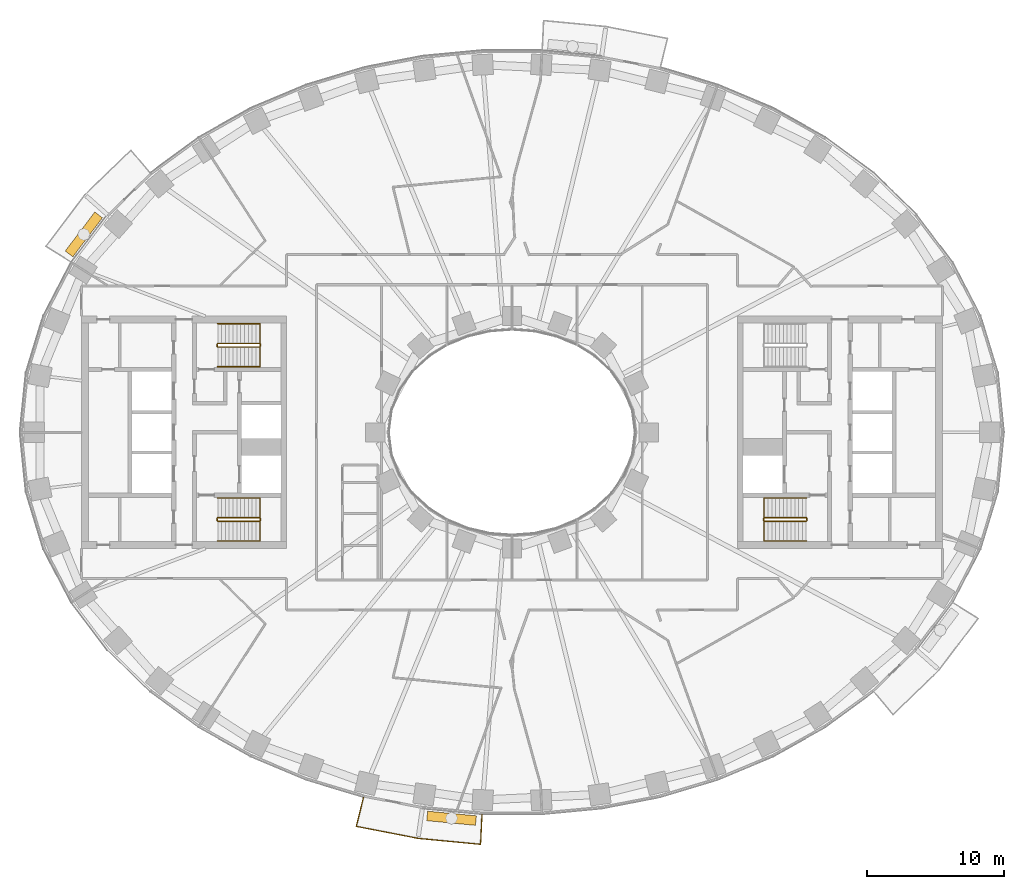
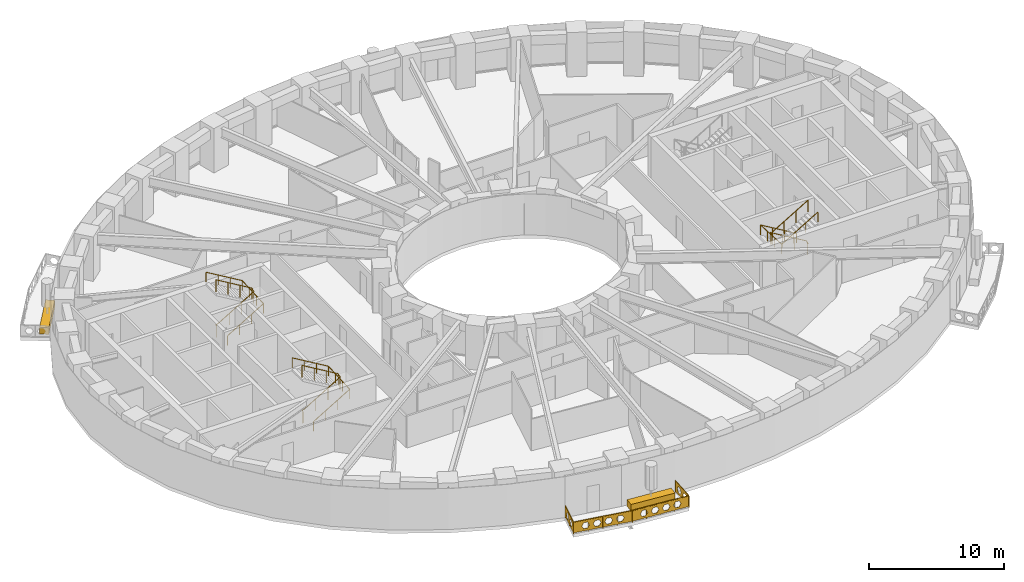
# One storey, part 14 of 16: 7 railings, 2 coverings.
"""IFC4 building model written with IfcOpenShell, lengths in metres."""

import ifcopenshell
import ifcopenshell.guid

model = None  # the IFC model being written
_history = None  # IfcOwnerHistory: only IFC2X3 demands one
_inside = {}  # id of a spatial element -> (the spatial element, [elements in it])
_under = {}  # id of a project, library or spatial element -> (it, [spatial elements below it])
_declared = {}  # id of a project -> (the project, [libraries it declares])
_typed = {}  # id of a type object -> (the type object, [elements of that type])
_made_of = {}  # id of a material, layer set ... -> (it, [elements and type objects made of it])


def new_model(schema):
    """Start an empty IFC model of exactly this schema.

    Asked for "IFC4X3", IfcOpenShell would pick the latest addendum, in which some entities
    have other attributes; the version numbers below select the first issue.
    IFC2X3 requires an IfcOwnerHistory on every rooted entity: one is made here for all.
    """
    global model, _history
    if schema == "IFC4X3":
        model = ifcopenshell.file(schema_version=(4, 3, 0, 0))
    else:
        model = ifcopenshell.file(schema=schema)
    _inside.clear()
    _under.clear()
    _declared.clear()
    _typed.clear()
    _made_of.clear()
    _history = None
    if model.schema == "IFC2X3":
        org = make("IfcOrganization", Name="unknown")
        user = make(
            "IfcPersonAndOrganization",
            ThePerson=make("IfcPerson", FamilyName="unknown"),
            TheOrganization=org,
        )
        app = make(
            "IfcApplication",
            ApplicationDeveloper=org,
            Version="unknown",
            ApplicationFullName="unknown",
            ApplicationIdentifier="unknown",
        )
        _history = make(
            "IfcOwnerHistory",
            OwningUser=user,
            OwningApplication=app,
            ChangeAction="ADDED",
            CreationDate=0,
        )
    return model


def make(cls, **values):
    """One entity of the class cls with the attributes given. An attribute that is None is left unset."""
    return model.create_entity(
        cls, **{name: value for name, value in values.items() if value is not None}
    )


def rooted(cls, **values):
    """An entity with a GlobalId (a new one), such as an element, a storey or a relation."""
    return make(cls, GlobalId=ifcopenshell.guid.new(), OwnerHistory=_history, **values)


def si_unit(unit_type, name, prefix=None):
    """IfcSIUnit, for example si_unit("LENGTHUNIT", "METRE", prefix="MILLI")."""
    return make("IfcSIUnit", UnitType=unit_type, Prefix=prefix, Name=name)


def assignment(units):
    """IfcUnitAssignment: the units of a project."""
    return None if units is None else make("IfcUnitAssignment", Units=units)


def point(xyz):
    """IfcCartesianPoint."""
    return None if xyz is None else make("IfcCartesianPoint", Coordinates=xyz)


def direction(xyz):
    """IfcDirection."""
    return None if xyz is None else make("IfcDirection", DirectionRatios=xyz)


def frame(location, z_axis=None, x_axis=None):
    """IfcAxis2Placement3D, a coordinate frame: its origin and axes. An axis left out is left unset."""
    return make(
        "IfcAxis2Placement3D",
        Location=point(location),
        Axis=direction(z_axis),
        RefDirection=direction(x_axis),
    )


def frame_2d(location, x_axis=None):
    """IfcAxis2Placement2D, a coordinate frame in the plane: its origin and x axis."""
    return make(
        "IfcAxis2Placement2D", Location=point(location), RefDirection=direction(x_axis)
    )


def origin():
    """The frame at (0, 0, 0) with its axes left unset."""
    return frame((0.0, 0.0, 0.0))


def origin_2d():
    """The frame at (0, 0) in the plane with its x axis left unset."""
    return frame_2d((0.0, 0.0))


def place(relative_to, where):
    """IfcLocalPlacement: puts the frame where relative to a parent placement (None: the world)."""
    return make(
        "IfcLocalPlacement", PlacementRelTo=relative_to, RelativePlacement=where
    )


def context(
    kind, dimensions, precision=None, world=None, true_north=None, identifier=None
):
    """IfcGeometricRepresentationContext, for example the 3D "Model" context."""
    return make(
        "IfcGeometricRepresentationContext",
        ContextIdentifier=identifier,
        ContextType=kind,
        CoordinateSpaceDimension=dimensions,
        Precision=precision,
        WorldCoordinateSystem=world,
        TrueNorth=true_north,
    )


def subcontext(parent, identifier, kind, view, scale=None):
    """IfcGeometricRepresentationSubContext, for example "Body" below "Model"."""
    return make(
        "IfcGeometricRepresentationSubContext",
        ContextIdentifier=identifier,
        ContextType=kind,
        ParentContext=parent,
        TargetScale=scale,
        TargetView=view,
    )


def project(units=None, contexts=None):
    """IfcProject with its units and contexts."""
    return rooted(
        "IfcProject",
        Name="project",
        RepresentationContexts=contexts,
        UnitsInContext=assignment(units),
    )


def spatial(cls, under=None, at=None, **own):
    """A site, building, storey or space (cls), placed at a placement, below another one or the project."""
    s = rooted(cls, ObjectPlacement=at, **own)
    if under is not None:
        _under.setdefault(under.id(), (under, []))[1].append(s)
    return s


def polyline(points):
    """IfcPolyline through the points."""
    return make("IfcPolyline", Points=[point(p) for p in points])


def profile(cls, at=None, kind="AREA", **sizes):
    """A parametric profile (cls). Its sizes go by their IFC names, for example OverallWidth=200.0."""
    return make(cls, ProfileType=kind, Position=at, **sizes)


def rectangle(**sizes):
    """IfcRectangleProfileDef."""
    return profile("IfcRectangleProfileDef", **sizes)


def outline(outer, holes=None, kind="AREA"):
    """IfcArbitraryClosedProfileDef: a profile drawn as a closed curve; with holes, ...WithVoids."""
    if holes is None:
        return make("IfcArbitraryClosedProfileDef", ProfileType=kind, OuterCurve=outer)
    return make(
        "IfcArbitraryProfileDefWithVoids",
        ProfileType=kind,
        OuterCurve=outer,
        InnerCurves=holes,
    )


def extrude(swept, where, along, depth):
    """IfcExtrudedAreaSolid: the profile swept, set in the frame where, extruded along a direction by depth."""
    return make(
        "IfcExtrudedAreaSolid",
        SweptArea=swept,
        Position=where,
        ExtrudedDirection=direction(along),
        Depth=depth,
    )


def shape(context_of_items, identifier, shape_type, items):
    """IfcShapeRepresentation: the items that make up one representation, for example the "Body"."""
    return make(
        "IfcShapeRepresentation",
        ContextOfItems=context_of_items,
        RepresentationIdentifier=identifier,
        RepresentationType=shape_type,
        Items=items,
    )


def material(Name=None, Category=None):
    """IfcMaterial."""
    return make("IfcMaterial", Name=Name, Category=Category)


def made_of(thing, what):
    """Note that an element or type object is made of a material, layer set ...; save() writes the relation."""
    if what is not None:
        _made_of.setdefault(what.id(), (what, []))[1].append(thing)
    return thing


def type_object(cls, material=None, **own):
    """A type object (cls), such as IfcWallType, which elements share."""
    return made_of(rooted(cls, **own), material)


def element(
    cls,
    number,
    at=None,
    inside=None,
    cuts=None,
    type_object=None,
    material=None,
    context=None,
    identifier="Body",
    shape_type=None,
    held_by="IfcProductDefinitionShape",
    body=None,
    shapes=None,
    **own,
):
    """One element of the class cls, such as IfcWall. Its Tag is "e" and its number.

    at: its placement. inside: the storey or other place that contains it. cuts: it is an
    opening in that element (IfcRelVoidsElement). A single representation is given by context,
    identifier, shape_type and body (its items); several are given by shapes. held_by: the class
    of the entity that holds the representations. save() writes the other relations.
    """
    e = rooted(cls, Tag="e%d" % number, ObjectPlacement=at, **own)
    if body is not None:
        shapes = [shape(context, identifier, shape_type, body)]
    if shapes is not None:
        e.Representation = make(held_by, Representations=shapes)
    if inside is not None:
        _inside.setdefault(inside.id(), (inside, []))[1].append(e)
    if cuts is not None:
        rooted(
            "IfcRelVoidsElement", RelatingBuildingElement=cuts, RelatedOpeningElement=e
        )
    if type_object is not None:
        _typed.setdefault(type_object.id(), (type_object, []))[1].append(e)
    return made_of(e, material)


def aggregate(whole, parts):
    """IfcRelAggregates: a whole, such as a stair, and the parts it consists of."""
    return rooted("IfcRelAggregates", RelatingObject=whole, RelatedObjects=parts)


def save(model, path):
    """Write the relations noted so far, then the file.

    IfcRelAggregates (storeys below a building ...), IfcRelContainedInSpatialStructure (elements
    in a storey), IfcRelDefinesByType, IfcRelAssociatesMaterial and IfcRelDeclares: one each for
    every whole, place, type object, material and project.
    """
    for whole, parts in _under.values():
        aggregate(whole, parts)
    for where, things in _inside.values():
        rooted(
            "IfcRelContainedInSpatialStructure",
            RelatedElements=things,
            RelatingStructure=where,
        )
    for kind, things in _typed.values():
        rooted("IfcRelDefinesByType", RelatedObjects=things, RelatingType=kind)
    for what, things in _made_of.values():
        rooted("IfcRelAssociatesMaterial", RelatedObjects=things, RelatingMaterial=what)
    for by, libraries in _declared.values():
        rooted("IfcRelDeclares", RelatingContext=by, RelatedDefinitions=libraries)
    model.write(path)


model = new_model("IFC4")

# Units and contexts
model_context = context("Model", 3, precision=1e-05, world=origin(), true_north=direction((0.0, 1.0)))
body_context = subcontext(model_context, "Body", "Model", "MODEL_VIEW")
ifc_project = project(units=[si_unit("LENGTHUNIT", "METRE"), si_unit("AREAUNIT", "SQUARE_METRE"), si_unit("VOLUMEUNIT", "CUBIC_METRE"), si_unit("PLANEANGLEUNIT", "RADIAN"), si_unit("MASSUNIT", "GRAM", prefix="KILO")], contexts=[model_context])

# Site, building, storey
site_placement = place(None, origin())
site = spatial("IfcSite", under=ifc_project, at=site_placement, CompositionType="ELEMENT")
building_placement = place(site_placement, origin())
building = spatial("IfcBuilding", under=site, at=building_placement, Name="Noorbagh Ring Tower", CompositionType="ELEMENT")
storey_placement = place(building_placement, frame((0.0, 0.0, 46.5)))
storey = spatial("IfcBuildingStorey", under=building, at=storey_placement, Name="L09", CompositionType="ELEMENT", Elevation=46.5)

# Railings
ifc_material_1 = material(Name="Stainless steel", Category="steel")
railing_type_1 = type_object("IfcRailingType", Name="CORE-STAIR-GUARD", PredefinedType="GUARDRAIL", material=ifc_material_1)
railing_1_placement = place(storey_placement, frame((-21.580078125, 6.300048828125, 0.0)))
element("IfcRailing", 1, at=railing_1_placement, inside=storey, type_object=railing_type_1, Name="L09 ST1 stair guard", PredefinedType="GUARDRAIL", context=body_context, shape_type="SweptSolid", body=[
    extrude(rectangle(XDim=0.048095703125, YDim=0.048095703125, at=origin_2d()), frame((0.0, 0.0, 1.076171875), z_axis=(0.0, 1.0, 0.0), x_axis=(-1.0, 0.0, 0.0)), (0.0, 0.0, 1.0), 0.14990234375),
    extrude(rectangle(XDim=0.048095703125, YDim=0.048095703125, at=origin_2d()), frame((0.0, 0.14990234375, 1.076171875), z_axis=(0.188775798145, -0.754182335027, 0.628945707965), x_axis=(0.970072785993, 0.242814311512, 0.0)), (0.0, 0.0, 1.0), 0.26513671875),
    extrude(rectangle(XDim=0.048095703125, YDim=0.048095703125, at=origin_2d()), frame((0.050048828125, -0.050048828125, 1.24267578125), z_axis=(0.859308565015, 0.0, 0.511457515432), x_axis=(0.0, 1.0, 0.0)), (0.0, 0.0, 1.0), 3.58447265625),
    extrude(rectangle(XDim=0.048095703125, YDim=0.048095703125, at=origin_2d()), frame((3.130126953125, -0.050048828125, 3.076171875), z_axis=(0.707106781187, 0.707106781187, 0.0), x_axis=(-0.707106781187, 0.707106781187, 0.0)), (0.0, 0.0, 1.0), 0.07080078125),
    extrude(rectangle(XDim=0.048095703125, YDim=0.048095703125, at=origin_2d()), frame((3.18017578125, 0.0, 3.076171875), z_axis=(0.0, 1.0, 0.0), x_axis=(-1.0, 0.0, 0.0)), (0.0, 0.0, 1.0), 0.14990234375),
    extrude(rectangle(XDim=0.048095703125, YDim=0.048095703125, at=origin_2d()), frame((3.18017578125, 0.14990234375, 3.076171875), z_axis=(-0.27628659633, 0.27628659633, 0.920506074601), x_axis=(-0.707106781187, -0.707106781187, 0.0)), (0.0, 0.0, 1.0), 0.18115234375),
    extrude(rectangle(XDim=0.048095703125, YDim=0.048095703125, at=origin_2d()), frame((3.130126953125, 0.199951171875, 3.24267578125), z_axis=(-0.859308565015, 0.0, 0.511457515432), x_axis=(0.0, -1.0, 0.0)), (0.0, 0.0, 1.0), 3.58447265625),
    extrude(rectangle(XDim=0.0419921875, YDim=0.0419921875, at=origin_2d()), origin(), (0.0, 0.0, 1.0), 1.052001953125),
    extrude(rectangle(XDim=0.0419921875, YDim=0.0419921875, at=origin_2d()), frame((1.07666015625, -0.050048828125, 0.77783203125)), (0.0, 0.0, 1.0), 1.052001953125),
    extrude(rectangle(XDim=0.0419921875, YDim=0.0419921875, at=origin_2d()), frame((2.103515625, -0.050048828125, 1.388916015625)), (0.0, 0.0, 1.0), 1.052001953125),
    extrude(rectangle(XDim=0.0419921875, YDim=0.0419921875, at=origin_2d()), frame((3.130126953125, -0.050048828125, 2.0)), (0.0, 0.0, 1.0), 1.052001953125),
    extrude(rectangle(XDim=0.0419921875, YDim=0.0419921875, at=origin_2d()), frame((3.130126953125, 0.199951171875, 2.166748046875)), (0.0, 0.0, 1.0), 1.052001953125),
    extrude(rectangle(XDim=0.0419921875, YDim=0.0419921875, at=origin_2d()), frame((2.103515625, 0.199951171875, 2.77783203125)), (0.0, 0.0, 1.0), 1.052001953125),
    extrude(rectangle(XDim=0.0419921875, YDim=0.0419921875, at=origin_2d()), frame((1.07666015625, 0.199951171875, 3.388916015625)), (0.0, 0.0, 1.0), 1.052001953125),
    extrude(rectangle(XDim=0.0419921875, YDim=0.0419921875, at=origin_2d()), frame((0.050048828125, 0.199951171875, 4.0)), (0.0, 0.0, 1.0), 1.052001953125),
])
railing_2_placement = place(storey_placement, frame((-21.580078125, -6.449951171875, 0.0)))
element("IfcRailing", 2, at=railing_2_placement, inside=storey, type_object=railing_type_1, Name="L09 ST2 stair guard", PredefinedType="GUARDRAIL", context=body_context, shape_type="SweptSolid", body=[
    extrude(rectangle(XDim=0.048095703125, YDim=0.048095703125, at=origin_2d()), frame((0.0, 0.0, 1.076171875), z_axis=(0.0, 1.0, 0.0), x_axis=(-1.0, 0.0, 0.0)), (0.0, 0.0, 1.0), 0.14990234375),
    extrude(rectangle(XDim=0.048095703125, YDim=0.048095703125, at=origin_2d()), frame((0.0, 0.14990234375, 1.076171875), z_axis=(0.188775798145, -0.754182335027, 0.628945707965), x_axis=(0.970072785993, 0.242814311512, 0.0)), (0.0, 0.0, 1.0), 0.26513671875),
    extrude(rectangle(XDim=0.048095703125, YDim=0.048095703125, at=origin_2d()), frame((0.050048828125, -0.050048828125, 1.24267578125), z_axis=(0.859308565015, 0.0, 0.511457515432), x_axis=(0.0, 1.0, 0.0)), (0.0, 0.0, 1.0), 3.58447265625),
    extrude(rectangle(XDim=0.048095703125, YDim=0.048095703125, at=origin_2d()), frame((3.130126953125, -0.050048828125, 3.076171875), z_axis=(0.707106781187, 0.707106781187, 0.0), x_axis=(-0.707106781187, 0.707106781187, 0.0)), (0.0, 0.0, 1.0), 0.07080078125),
    extrude(rectangle(XDim=0.048095703125, YDim=0.048095703125, at=origin_2d()), frame((3.18017578125, 0.0, 3.076171875), z_axis=(0.0, 1.0, 0.0), x_axis=(-1.0, 0.0, 0.0)), (0.0, 0.0, 1.0), 0.14990234375),
    extrude(rectangle(XDim=0.048095703125, YDim=0.048095703125, at=origin_2d()), frame((3.18017578125, 0.14990234375, 3.076171875), z_axis=(-0.27628659633, 0.27628659633, 0.920506074601), x_axis=(-0.707106781187, -0.707106781187, 0.0)), (0.0, 0.0, 1.0), 0.18115234375),
    extrude(rectangle(XDim=0.048095703125, YDim=0.048095703125, at=origin_2d()), frame((3.130126953125, 0.199951171875, 3.24267578125), z_axis=(-0.859308565015, 0.0, 0.511457515432), x_axis=(0.0, -1.0, 0.0)), (0.0, 0.0, 1.0), 3.58447265625),
    extrude(rectangle(XDim=0.0419921875, YDim=0.0419921875, at=origin_2d()), origin(), (0.0, 0.0, 1.0), 1.052001953125),
    extrude(rectangle(XDim=0.0419921875, YDim=0.0419921875, at=origin_2d()), frame((1.07666015625, -0.050048828125, 0.77783203125)), (0.0, 0.0, 1.0), 1.052001953125),
    extrude(rectangle(XDim=0.0419921875, YDim=0.0419921875, at=origin_2d()), frame((2.103515625, -0.050048828125, 1.388916015625)), (0.0, 0.0, 1.0), 1.052001953125),
    extrude(rectangle(XDim=0.0419921875, YDim=0.0419921875, at=origin_2d()), frame((3.130126953125, -0.050048828125, 2.0)), (0.0, 0.0, 1.0), 1.052001953125),
    extrude(rectangle(XDim=0.0419921875, YDim=0.0419921875, at=origin_2d()), frame((3.130126953125, 0.199951171875, 2.166748046875)), (0.0, 0.0, 1.0), 1.052001953125),
    extrude(rectangle(XDim=0.0419921875, YDim=0.0419921875, at=origin_2d()), frame((2.103515625, 0.199951171875, 2.77783203125)), (0.0, 0.0, 1.0), 1.052001953125),
    extrude(rectangle(XDim=0.0419921875, YDim=0.0419921875, at=origin_2d()), frame((1.07666015625, 0.199951171875, 3.388916015625)), (0.0, 0.0, 1.0), 1.052001953125),
    extrude(rectangle(XDim=0.0419921875, YDim=0.0419921875, at=origin_2d()), frame((0.050048828125, 0.199951171875, 4.0)), (0.0, 0.0, 1.0), 1.052001953125),
])
railing_3_placement = place(storey_placement, frame((21.580078125, -6.300048828125, 0.0)))
element("IfcRailing", 3, at=railing_3_placement, inside=storey, type_object=railing_type_1, Name="L09 ST4 stair guard", PredefinedType="GUARDRAIL", context=body_context, shape_type="SweptSolid", body=[
    extrude(rectangle(XDim=0.048095703125, YDim=0.048095703125, at=origin_2d()), frame((0.0, 0.0, 1.076171875), z_axis=(0.0, -1.0, 0.0), x_axis=(1.0, 0.0, 0.0)), (0.0, 0.0, 1.0), 0.14990234375),
    extrude(rectangle(XDim=0.048095703125, YDim=0.048095703125, at=origin_2d()), frame((0.0, -0.14990234375, 1.076171875), z_axis=(-0.188775798145, 0.754182335027, 0.628945707965), x_axis=(-0.970072785993, -0.242814311512, 0.0)), (0.0, 0.0, 1.0), 0.26513671875),
    extrude(rectangle(XDim=0.048095703125, YDim=0.048095703125, at=origin_2d()), frame((-0.050048828125, 0.050048828125, 1.24267578125), z_axis=(-0.859308565015, 0.0, 0.511457515432), x_axis=(0.0, -1.0, 0.0)), (0.0, 0.0, 1.0), 3.58447265625),
    extrude(rectangle(XDim=0.048095703125, YDim=0.048095703125, at=origin_2d()), frame((-3.130126953125, 0.050048828125, 3.076171875), z_axis=(-0.707106781187, -0.707106781187, 0.0), x_axis=(0.707106781187, -0.707106781187, 0.0)), (0.0, 0.0, 1.0), 0.07080078125),
    extrude(rectangle(XDim=0.048095703125, YDim=0.048095703125, at=origin_2d()), frame((-3.18017578125, 0.0, 3.076171875), z_axis=(0.0, -1.0, 0.0), x_axis=(1.0, 0.0, 0.0)), (0.0, 0.0, 1.0), 0.14990234375),
    extrude(rectangle(XDim=0.048095703125, YDim=0.048095703125, at=origin_2d()), frame((-3.18017578125, -0.14990234375, 3.076171875), z_axis=(0.27628659633, -0.27628659633, 0.920506074601), x_axis=(0.707106781187, 0.707106781187, 0.0)), (0.0, 0.0, 1.0), 0.18115234375),
    extrude(rectangle(XDim=0.048095703125, YDim=0.048095703125, at=origin_2d()), frame((-3.130126953125, -0.199951171875, 3.24267578125), z_axis=(0.859308565015, 0.0, 0.511457515432), x_axis=(0.0, 1.0, 0.0)), (0.0, 0.0, 1.0), 3.58447265625),
    extrude(rectangle(XDim=0.0419921875, YDim=0.0419921875, at=origin_2d()), origin(), (0.0, 0.0, 1.0), 1.052001953125),
    extrude(rectangle(XDim=0.0419921875, YDim=0.0419921875, at=origin_2d()), frame((-1.07666015625, 0.050048828125, 0.77783203125)), (0.0, 0.0, 1.0), 1.052001953125),
    extrude(rectangle(XDim=0.0419921875, YDim=0.0419921875, at=origin_2d()), frame((-2.103515625, 0.050048828125, 1.388916015625)), (0.0, 0.0, 1.0), 1.052001953125),
    extrude(rectangle(XDim=0.0419921875, YDim=0.0419921875, at=origin_2d()), frame((-3.130126953125, 0.050048828125, 2.0)), (0.0, 0.0, 1.0), 1.052001953125),
    extrude(rectangle(XDim=0.0419921875, YDim=0.0419921875, at=origin_2d()), frame((-3.130126953125, -0.199951171875, 2.166748046875)), (0.0, 0.0, 1.0), 1.052001953125),
    extrude(rectangle(XDim=0.0419921875, YDim=0.0419921875, at=origin_2d()), frame((-2.103515625, -0.199951171875, 2.77783203125)), (0.0, 0.0, 1.0), 1.052001953125),
    extrude(rectangle(XDim=0.0419921875, YDim=0.0419921875, at=origin_2d()), frame((-1.07666015625, -0.199951171875, 3.388916015625)), (0.0, 0.0, 1.0), 1.052001953125),
    extrude(rectangle(XDim=0.0419921875, YDim=0.0419921875, at=origin_2d()), frame((-0.050048828125, -0.199951171875, 4.0)), (0.0, 0.0, 1.0), 1.052001953125),
])
ifc_material_2 = material(Name="Stainless steel", Category="steel")
railing_type_2 = type_object("IfcRailingType", Name="CORE-STAIR-HANDRAIL", PredefinedType="HANDRAIL", material=ifc_material_2)
railing_4_placement = place(storey_placement, frame((-21.530029296875, 4.800048828125, 0.166748046875)))
element("IfcRailing", 4, at=railing_4_placement, inside=storey, type_object=railing_type_2, Name="L09 ST1 stair handrail", PredefinedType="HANDRAIL", context=body_context, shape_type="SweptSolid", body=[
    extrude(rectangle(XDim=0.048095703125, YDim=0.048095703125, at=origin_2d()), frame((0.0, 0.0, 0.8759765625), z_axis=(0.859308565015, 0.0, 0.511457515432), x_axis=(0.0, 1.0, 0.0)), (0.0, 0.0, 1.0), 3.58447265625),
    extrude(rectangle(XDim=0.048095703125, YDim=0.048095703125, at=origin_2d()), frame((3.080078125, 0.0, 2.708984375), z_axis=(0.0, 0.998601747152, 0.052863509014), x_axis=(-1.0, 0.0, 0.0)), (0.0, 0.0, 1.0), 3.154296875),
    extrude(rectangle(XDim=0.048095703125, YDim=0.048095703125, at=origin_2d()), frame((3.080078125, 3.14990234375, 2.8759765625), z_axis=(-0.859308565015, 0.0, 0.511457515432), x_axis=(0.0, -1.0, 0.0)), (0.0, 0.0, 1.0), 3.58447265625),
    extrude(rectangle(XDim=0.0419921875, YDim=0.0419921875, at=origin_2d()), origin(), (0.0, 0.0, 1.0), 0.851806640625),
    extrude(rectangle(XDim=0.0419921875, YDim=0.0419921875, at=origin_2d()), frame((1.026611328125, 0.0, 0.611083984375)), (0.0, 0.0, 1.0), 0.851806640625),
    extrude(rectangle(XDim=0.0419921875, YDim=0.0419921875, at=origin_2d()), frame((2.053466796875, 0.0, 1.22216796875)), (0.0, 0.0, 1.0), 0.851806640625),
    extrude(rectangle(XDim=0.0419921875, YDim=0.0419921875, at=origin_2d()), frame((3.080078125, 0.0, 1.833251953125)), (0.0, 0.0, 1.0), 0.851806640625),
    extrude(rectangle(XDim=0.0419921875, YDim=0.0419921875, at=origin_2d()), frame((3.080078125, 1.050048828125, 1.888916015625)), (0.0, 0.0, 1.0), 0.851806640625),
    extrude(rectangle(XDim=0.0419921875, YDim=0.0419921875, at=origin_2d()), frame((3.080078125, 2.099853515625, 1.9443359375)), (0.0, 0.0, 1.0), 0.851806640625),
    extrude(rectangle(XDim=0.0419921875, YDim=0.0419921875, at=origin_2d()), frame((3.080078125, 3.14990234375, 2.0)), (0.0, 0.0, 1.0), 0.851806640625),
    extrude(rectangle(XDim=0.0419921875, YDim=0.0419921875, at=origin_2d()), frame((2.053466796875, 3.14990234375, 2.611083984375)), (0.0, 0.0, 1.0), 0.851806640625),
    extrude(rectangle(XDim=0.0419921875, YDim=0.0419921875, at=origin_2d()), frame((1.026611328125, 3.14990234375, 3.22216796875)), (0.0, 0.0, 1.0), 0.851806640625),
    extrude(rectangle(XDim=0.0419921875, YDim=0.0419921875, at=origin_2d()), frame((0.0, 3.14990234375, 3.833251953125)), (0.0, 0.0, 1.0), 0.851806640625),
])
railing_5_placement = place(storey_placement, frame((-21.530029296875, -7.949951171875, 0.166748046875)))
element("IfcRailing", 5, at=railing_5_placement, inside=storey, type_object=railing_type_2, Name="L09 ST2 stair handrail", PredefinedType="HANDRAIL", context=body_context, shape_type="SweptSolid", body=[
    extrude(rectangle(XDim=0.048095703125, YDim=0.048095703125, at=origin_2d()), frame((0.0, 0.0, 0.8759765625), z_axis=(0.859308565015, 0.0, 0.511457515432), x_axis=(0.0, 1.0, 0.0)), (0.0, 0.0, 1.0), 3.58447265625),
    extrude(rectangle(XDim=0.048095703125, YDim=0.048095703125, at=origin_2d()), frame((3.080078125, 0.0, 2.708984375), z_axis=(0.0, 0.998601747152, 0.052863509014), x_axis=(-1.0, 0.0, 0.0)), (0.0, 0.0, 1.0), 3.154296875),
    extrude(rectangle(XDim=0.048095703125, YDim=0.048095703125, at=origin_2d()), frame((3.080078125, 3.14990234375, 2.8759765625), z_axis=(-0.859308565015, 0.0, 0.511457515432), x_axis=(0.0, -1.0, 0.0)), (0.0, 0.0, 1.0), 3.58447265625),
    extrude(rectangle(XDim=0.0419921875, YDim=0.0419921875, at=origin_2d()), origin(), (0.0, 0.0, 1.0), 0.851806640625),
    extrude(rectangle(XDim=0.0419921875, YDim=0.0419921875, at=origin_2d()), frame((1.026611328125, 0.0, 0.611083984375)), (0.0, 0.0, 1.0), 0.851806640625),
    extrude(rectangle(XDim=0.0419921875, YDim=0.0419921875, at=origin_2d()), frame((2.053466796875, 0.0, 1.22216796875)), (0.0, 0.0, 1.0), 0.851806640625),
    extrude(rectangle(XDim=0.0419921875, YDim=0.0419921875, at=origin_2d()), frame((3.080078125, 0.0, 1.833251953125)), (0.0, 0.0, 1.0), 0.851806640625),
    extrude(rectangle(XDim=0.0419921875, YDim=0.0419921875, at=origin_2d()), frame((3.080078125, 1.050048828125, 1.888916015625)), (0.0, 0.0, 1.0), 0.851806640625),
    extrude(rectangle(XDim=0.0419921875, YDim=0.0419921875, at=origin_2d()), frame((3.080078125, 2.099853515625, 1.9443359375)), (0.0, 0.0, 1.0), 0.851806640625),
    extrude(rectangle(XDim=0.0419921875, YDim=0.0419921875, at=origin_2d()), frame((3.080078125, 3.14990234375, 2.0)), (0.0, 0.0, 1.0), 0.851806640625),
    extrude(rectangle(XDim=0.0419921875, YDim=0.0419921875, at=origin_2d()), frame((2.053466796875, 3.14990234375, 2.611083984375)), (0.0, 0.0, 1.0), 0.851806640625),
    extrude(rectangle(XDim=0.0419921875, YDim=0.0419921875, at=origin_2d()), frame((1.026611328125, 3.14990234375, 3.22216796875)), (0.0, 0.0, 1.0), 0.851806640625),
    extrude(rectangle(XDim=0.0419921875, YDim=0.0419921875, at=origin_2d()), frame((0.0, 3.14990234375, 3.833251953125)), (0.0, 0.0, 1.0), 0.851806640625),
])
railing_6_placement = place(storey_placement, frame((21.530029296875, -4.800048828125, 0.166748046875)))
element("IfcRailing", 6, at=railing_6_placement, inside=storey, type_object=railing_type_2, Name="L09 ST4 stair handrail", PredefinedType="HANDRAIL", context=body_context, shape_type="SweptSolid", body=[
    extrude(rectangle(XDim=0.048095703125, YDim=0.048095703125, at=origin_2d()), frame((0.0, 0.0, 0.8759765625), z_axis=(-0.859308565015, 0.0, 0.511457515432), x_axis=(0.0, -1.0, 0.0)), (0.0, 0.0, 1.0), 3.58447265625),
    extrude(rectangle(XDim=0.048095703125, YDim=0.048095703125, at=origin_2d()), frame((-3.080078125, 0.0, 2.708984375), z_axis=(0.0, -0.998601747152, 0.052863509014), x_axis=(1.0, 0.0, 0.0)), (0.0, 0.0, 1.0), 3.154296875),
    extrude(rectangle(XDim=0.048095703125, YDim=0.048095703125, at=origin_2d()), frame((-3.080078125, -3.14990234375, 2.8759765625), z_axis=(0.859308565015, 0.0, 0.511457515432), x_axis=(0.0, 1.0, 0.0)), (0.0, 0.0, 1.0), 3.58447265625),
    extrude(rectangle(XDim=0.0419921875, YDim=0.0419921875, at=origin_2d()), origin(), (0.0, 0.0, 1.0), 0.851806640625),
    extrude(rectangle(XDim=0.0419921875, YDim=0.0419921875, at=origin_2d()), frame((-1.026611328125, 0.0, 0.611083984375)), (0.0, 0.0, 1.0), 0.851806640625),
    extrude(rectangle(XDim=0.0419921875, YDim=0.0419921875, at=origin_2d()), frame((-2.053466796875, 0.0, 1.22216796875)), (0.0, 0.0, 1.0), 0.851806640625),
    extrude(rectangle(XDim=0.0419921875, YDim=0.0419921875, at=origin_2d()), frame((-3.080078125, 0.0, 1.833251953125)), (0.0, 0.0, 1.0), 0.851806640625),
    extrude(rectangle(XDim=0.0419921875, YDim=0.0419921875, at=origin_2d()), frame((-3.080078125, -1.050048828125, 1.888916015625)), (0.0, 0.0, 1.0), 0.851806640625),
    extrude(rectangle(XDim=0.0419921875, YDim=0.0419921875, at=origin_2d()), frame((-3.080078125, -2.099853515625, 1.9443359375)), (0.0, 0.0, 1.0), 0.851806640625),
    extrude(rectangle(XDim=0.0419921875, YDim=0.0419921875, at=origin_2d()), frame((-3.080078125, -3.14990234375, 2.0)), (0.0, 0.0, 1.0), 0.851806640625),
    extrude(rectangle(XDim=0.0419921875, YDim=0.0419921875, at=origin_2d()), frame((-2.053466796875, -3.14990234375, 2.611083984375)), (0.0, 0.0, 1.0), 0.851806640625),
    extrude(rectangle(XDim=0.0419921875, YDim=0.0419921875, at=origin_2d()), frame((-1.026611328125, -3.14990234375, 3.22216796875)), (0.0, 0.0, 1.0), 0.851806640625),
    extrude(rectangle(XDim=0.0419921875, YDim=0.0419921875, at=origin_2d()), frame((0.0, -3.14990234375, 3.833251953125)), (0.0, 0.0, 1.0), 0.851806640625),
])
ifc_material_3 = material(Name="Steel S275 black powder-coated", Category="steel")
railing_type_3 = type_object("IfcRailingType", Name="ENV-GUARD", PredefinedType="GUARDRAIL", material=ifc_material_3)
railing_7_placement = place(storey_placement, frame((-10.865234375, -26.6943359375, 0.0)))
element("IfcRailing", 7, at=railing_7_placement, inside=storey, type_object=railing_type_3, Name="Balcony guard BS03", PredefinedType="GUARDRAIL", context=body_context, shape_type="SweptSolid", body=[
    extrude(rectangle(XDim=0.048095703125, YDim=0.048095703125, at=origin_2d()), frame((0.0, 0.0, 1.076171875), z_axis=(-0.239848558412, -0.970810315679, 0.0), x_axis=(0.970810315679, -0.239848558412, 0.0)), (0.0, 0.0, 1.0), 2.20263671875),
    extrude(rectangle(XDim=0.048095703125, YDim=0.048095703125, at=origin_2d()), frame((-0.5283203125, -2.138427734375, 1.076171875), z_axis=(0.981625049064, -0.1908199755, 0.0), x_axis=(0.1908199755, 0.981625049064, 0.0)), (0.0, 0.0, 1.0), 4.603271484375),
    extrude(rectangle(XDim=0.048095703125, YDim=0.048095703125, at=origin_2d()), frame((3.990478515625, -3.016845703125, 1.076171875), z_axis=(0.995477555764, -0.094997031379, 0.0), x_axis=(0.094997031379, 0.995477555764, 0.0)), (0.0, 0.0, 1.0), 4.59765625),
    extrude(rectangle(XDim=0.048095703125, YDim=0.048095703125, at=origin_2d()), frame((8.5673828125, -3.45361328125, 1.076171875), z_axis=(0.047554616162, 0.998868639252, 0.0), x_axis=(-0.998868639252, 0.047554616162, 0.0)), (0.0, 0.0, 1.0), 2.202392578125),
    extrude(rectangle(XDim=0.0419921875, YDim=0.0419921875, at=origin_2d()), origin(), (0.0, 0.0, 1.0), 1.052001953125),
    extrude(rectangle(XDim=0.0419921875, YDim=0.0419921875, at=origin_2d()), frame((-0.26416015625, -1.0693359375, 0.0)), (0.0, 0.0, 1.0), 1.052001953125),
    extrude(rectangle(XDim=0.0419921875, YDim=0.0419921875, at=origin_2d()), frame((-0.5283203125, -2.138427734375, 0.0)), (0.0, 0.0, 1.0), 1.052001953125),
    extrude(rectangle(XDim=0.0419921875, YDim=0.0419921875, at=origin_2d()), frame((0.601318359375, -2.35791015625, 0.0)), (0.0, 0.0, 1.0), 1.052001953125),
    extrude(rectangle(XDim=0.0419921875, YDim=0.0419921875, at=origin_2d()), frame((1.73095703125, -2.57763671875, 0.0)), (0.0, 0.0, 1.0), 1.052001953125),
    extrude(rectangle(XDim=0.0419921875, YDim=0.0419921875, at=origin_2d()), frame((2.86083984375, -2.79736328125, 0.0)), (0.0, 0.0, 1.0), 1.052001953125),
    extrude(rectangle(XDim=0.0419921875, YDim=0.0419921875, at=origin_2d()), frame((3.990478515625, -3.016845703125, 0.0)), (0.0, 0.0, 1.0), 1.052001953125),
    extrude(rectangle(XDim=0.0419921875, YDim=0.0419921875, at=origin_2d()), frame((5.134765625, -3.1259765625, 0.0)), (0.0, 0.0, 1.0), 1.052001953125),
    extrude(rectangle(XDim=0.0419921875, YDim=0.0419921875, at=origin_2d()), frame((6.27880859375, -3.2353515625, 0.0)), (0.0, 0.0, 1.0), 1.052001953125),
    extrude(rectangle(XDim=0.0419921875, YDim=0.0419921875, at=origin_2d()), frame((7.423095703125, -3.344482421875, 0.0)), (0.0, 0.0, 1.0), 1.052001953125),
    extrude(rectangle(XDim=0.0419921875, YDim=0.0419921875, at=origin_2d()), frame((8.5673828125, -3.45361328125, 0.0)), (0.0, 0.0, 1.0), 1.052001953125),
    extrude(rectangle(XDim=0.0419921875, YDim=0.0419921875, at=origin_2d()), frame((8.61962890625, -2.353515625, 0.0)), (0.0, 0.0, 1.0), 1.052001953125),
    extrude(rectangle(XDim=0.0419921875, YDim=0.0419921875, at=origin_2d()), frame((8.672119140625, -1.253662109375, 0.0)), (0.0, 0.0, 1.0), 1.052001953125),
    extrude(outline(polyline([(0.0, 0.10009765625), (2.20263671875, 0.10009765625), (2.20263671875, 1.031982421875), (0.0, 1.031982421875), (0.0, 0.10009765625)]), holes=[polyline([(0.96142578125, 0.56591796875), (0.806396484375, 0.83447265625), (0.496337890625, 0.83447265625), (0.34130859375, 0.56591796875), (0.496337890625, 0.297607421875), (0.806396484375, 0.297607421875), (0.96142578125, 0.56591796875)]), polyline([(1.861328125, 0.56591796875), (1.706298828125, 0.83447265625), (1.396240234375, 0.83447265625), (1.241455078125, 0.56591796875), (1.396240234375, 0.297607421875), (1.706298828125, 0.297607421875), (1.861328125, 0.56591796875)])]), frame((0.009765625, -0.00244140625, 0.0), z_axis=(-0.970810315679, 0.239848558412, 0.0), x_axis=(-0.239848558412, -0.970810315679, 0.0)), (0.0, 0.0, 1.0), 0.02001953125),
    extrude(outline(polyline([(0.0, 0.10009765625), (4.603271484375, 0.10009765625), (4.603271484375, 1.031982421875), (0.0, 1.031982421875), (0.0, 0.10009765625)]), holes=[polyline([(1.26171875, 0.56591796875), (1.106689453125, 0.83447265625), (0.796630859375, 0.83447265625), (0.6416015625, 0.56591796875), (0.796630859375, 0.297607421875), (1.106689453125, 0.297607421875), (1.26171875, 0.56591796875)]), polyline([(2.16162109375, 0.56591796875), (2.006591796875, 0.83447265625), (1.69677734375, 0.83447265625), (1.541748046875, 0.56591796875), (1.69677734375, 0.297607421875), (2.006591796875, 0.297607421875), (2.16162109375, 0.56591796875)]), polyline([(3.061767578125, 0.56591796875), (2.90673828125, 0.83447265625), (2.5966796875, 0.83447265625), (2.441650390625, 0.56591796875), (2.5966796875, 0.297607421875), (2.90673828125, 0.297607421875), (3.061767578125, 0.56591796875)]), polyline([(3.961669921875, 0.56591796875), (3.806640625, 0.83447265625), (3.49658203125, 0.83447265625), (3.341796875, 0.56591796875), (3.49658203125, 0.297607421875), (3.806640625, 0.297607421875), (3.961669921875, 0.56591796875)])]), frame((-0.5263671875, -2.128662109375, 0.0), z_axis=(-0.1908199755, -0.981625049064, 0.0), x_axis=(0.981625049064, -0.1908199755, 0.0)), (0.0, 0.0, 1.0), 0.02001953125),
    extrude(outline(polyline([(0.0, 0.10009765625), (4.59765625, 0.10009765625), (4.59765625, 1.031982421875), (0.0, 1.031982421875), (0.0, 0.10009765625)]), holes=[polyline([(1.2587890625, 0.56591796875), (1.103759765625, 0.83447265625), (0.7939453125, 0.83447265625), (0.638916015625, 0.56591796875), (0.7939453125, 0.297607421875), (1.103759765625, 0.297607421875), (1.2587890625, 0.56591796875)]), polyline([(2.158935546875, 0.56591796875), (2.00390625, 0.83447265625), (1.69384765625, 0.83447265625), (1.538818359375, 0.56591796875), (1.69384765625, 0.297607421875), (2.00390625, 0.297607421875), (2.158935546875, 0.56591796875)]), polyline([(3.058837890625, 0.56591796875), (2.90380859375, 0.83447265625), (2.59375, 0.83447265625), (2.43896484375, 0.56591796875), (2.59375, 0.297607421875), (2.90380859375, 0.297607421875), (3.058837890625, 0.56591796875)]), polyline([(3.958740234375, 0.56591796875), (3.803955078125, 0.83447265625), (3.493896484375, 0.83447265625), (3.3388671875, 0.56591796875), (3.493896484375, 0.297607421875), (3.803955078125, 0.297607421875), (3.958740234375, 0.56591796875)])]), frame((3.991455078125, -3.0068359375, 0.0), z_axis=(-0.094997031379, -0.995477555764, 0.0), x_axis=(0.995477555764, -0.094997031379, 0.0)), (0.0, 0.0, 1.0), 0.02001953125),
    extrude(outline(polyline([(0.0, 0.10009765625), (2.202392578125, 0.10009765625), (2.202392578125, 1.031982421875), (0.0, 1.031982421875), (0.0, 0.10009765625)]), holes=[polyline([(0.961181640625, 0.56591796875), (0.80615234375, 0.83447265625), (0.496337890625, 0.83447265625), (0.34130859375, 0.56591796875), (0.496337890625, 0.297607421875), (0.80615234375, 0.297607421875), (0.961181640625, 0.56591796875)]), polyline([(1.861328125, 0.56591796875), (1.706298828125, 0.83447265625), (1.396240234375, 0.83447265625), (1.2412109375, 0.56591796875), (1.396240234375, 0.297607421875), (1.706298828125, 0.297607421875), (1.861328125, 0.56591796875)])]), frame((8.557373046875, -3.453125, 0.0), z_axis=(0.998868639252, -0.047554616162, 0.0), x_axis=(0.047554616162, 0.998868639252, 0.0)), (0.0, 0.0, 1.0), 0.02001953125),
])

# Coverings
ifc_material_4 = material(Name="Concrete C30/37 planter with soil", Category="concrete")
covering_type = type_object("IfcCoveringType", Name="ENV-PLANTER", PredefinedType="CLADDING", material=ifc_material_4)
covering_1_placement = place(storey_placement, frame((-31.329833984375, 14.4833984375, 0.0), z_axis=(0.0, 0.0, 1.0), x_axis=(-0.604020184358, -0.796969018776, 0.0)))
element("IfcCovering", 8, at=covering_1_placement, inside=storey, type_object=covering_type, Name="PLANTER BN06", ObjectType="PLANTER", PredefinedType="CLADDING", context=body_context, shape_type="SweptSolid", body=[
    extrude(rectangle(XDim=3.583251953125, YDim=0.699951171875, at=origin_2d()), origin(), (0.0, 0.0, 1.0), 0.60009765625),
])
covering_2_placement = place(storey_placement, frame((-4.423828125, -28.2373046875, 0.0), z_axis=(0.0, 0.0, 1.0), x_axis=(0.995476497323, -0.095008122171, 0.0)))
element("IfcCovering", 9, at=covering_2_placement, inside=storey, type_object=covering_type, Name="PLANTER BS03", ObjectType="PLANTER", PredefinedType="CLADDING", context=body_context, shape_type="SweptSolid", body=[
    extrude(rectangle(XDim=3.58642578125, YDim=0.699951171875, at=origin_2d()), origin(), (0.0, 0.0, 1.0), 0.60009765625),
])

save(model, "model.ifc")
